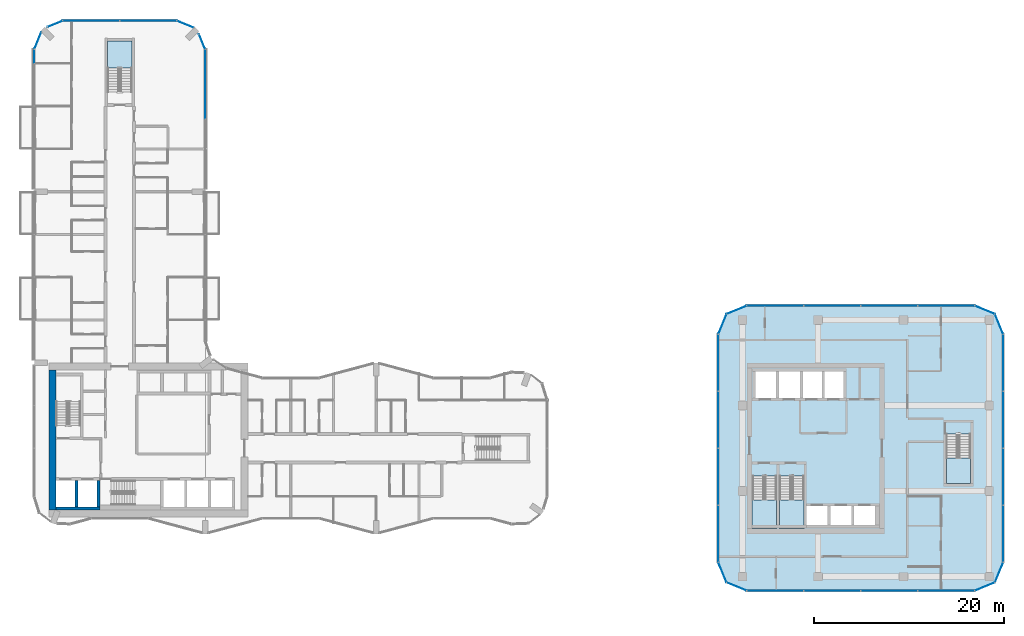
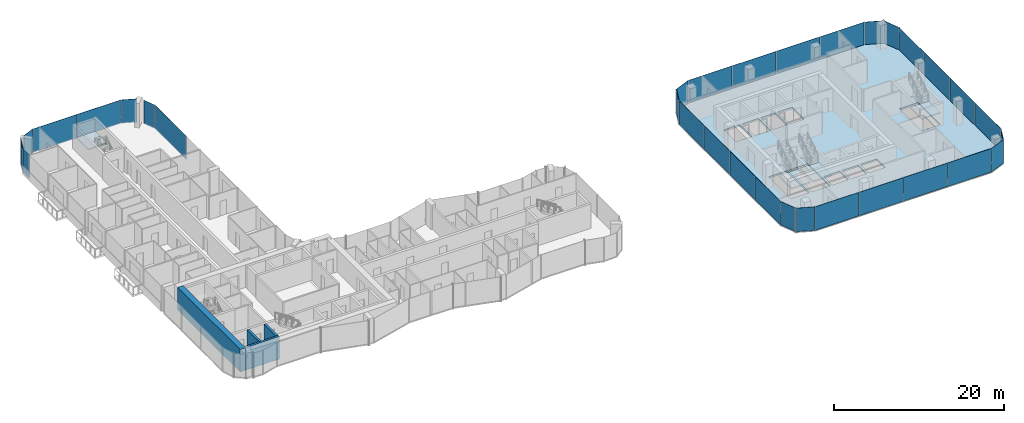
# One storey, part 12 of 23: 32 plates, 5 slabs, 4 walls, 23 elements without a shape of their own.
"""IFC4 building model written with IfcOpenShell, lengths in metres."""

from ifc_helpers import new_model, si_unit, direction, frame, frame_2d, origin, origin_2d, place, context, subcontext, project, spatial, polyline, rectangle, outline, extrude, material, layer, layer_set, type_object, element, aggregate, save


model = new_model("IFC4")

# Units and contexts
model_context = context("Model", 3, precision=1e-05, world=origin(), true_north=direction((0.0, 1.0)))
body_context = subcontext(model_context, "Body", "Model", "MODEL_VIEW")
ifc_project = project(units=[si_unit("LENGTHUNIT", "METRE"), si_unit("AREAUNIT", "SQUARE_METRE"), si_unit("VOLUMEUNIT", "CUBIC_METRE"), si_unit("PLANEANGLEUNIT", "RADIAN"), si_unit("MASSUNIT", "GRAM", prefix="KILO")], contexts=[model_context])

# Site, building, storey
site_placement = place(None, origin())
site = spatial("IfcSite", under=ifc_project, at=site_placement, CompositionType="ELEMENT")
building_placement = place(site_placement, origin())
building = spatial("IfcBuilding", under=site, at=building_placement, Name="Plateau Cross Towers", CompositionType="ELEMENT")
storey_placement = place(building_placement, frame((0.0, 0.0, 37.300048828125)))
storey = spatial("IfcBuildingStorey", under=building, at=storey_placement, Name="L08", CompositionType="ELEMENT", Elevation=37.300048828125)

# Curtain wall, plates
ifc_material_1 = material(Name="Dark low-iron glass", Category="glass")
ifc_layer_1 = layer(ifc_material_1, 0.239990234375)
ifc_layer_set_1 = layer_set([ifc_layer_1], Name="Dark low-iron glass")
curtain_wall_type_1 = type_object("IfcCurtainWallType", Name="Curtain wall office unitised CW-F", PredefinedType="NOTDEFINED", material=ifc_layer_set_1)
curtain_wall_1_placement = place(storey_placement, origin())
curtain_wall_1 = element("IfcCurtainWall", 1, at=curtain_wall_1_placement, inside=storey, type_object=curtain_wall_type_1, Name="ENV/B/L08/B750_-60", PredefinedType="NOTDEFINED")
ifc_layer_2 = layer(ifc_material_1, 0.028076171875)
ifc_layer_set_2 = layer_set([ifc_layer_2], Name="Dark low-iron glass")
plate_type_1 = type_object("IfcPlateType", Name="Glass panel 28 office unitised", PredefinedType="CURTAIN_PANEL", material=ifc_layer_set_2)
plate_1_placement = place(storey_placement, frame((78.0, -6.0, -0.1298828125), z_axis=(0.0, 0.0, 1.0), x_axis=(1.0, 0.0, 0.0)))
plate_1 = element("IfcPlate", 2, at=plate_1_placement, type_object=plate_type_1, Name="CW-F panel 1", PredefinedType="CURTAIN_PANEL", context=body_context, shape_type="SweptSolid", body=[
    extrude(rectangle(XDim=5.93994140625, YDim=0.028076171875, at=origin_2d()), origin(), (0.0, 0.0, 1.0), 3.3798828125),
])
plate_2_placement = place(storey_placement, frame((84.0, -6.0, -0.1298828125), z_axis=(0.0, 0.0, 1.0), x_axis=(1.0, 0.0, 0.0)))
plate_2 = element("IfcPlate", 3, at=plate_2_placement, type_object=plate_type_1, Name="CW-F panel 2", PredefinedType="CURTAIN_PANEL", context=body_context, shape_type="SweptSolid", body=[
    extrude(rectangle(XDim=5.93994140625, YDim=0.028076171875, at=origin_2d()), origin(), (0.0, 0.0, 1.0), 3.3798828125),
])
plate_3_placement = place(storey_placement, frame((90.0, -6.0, -0.1298828125), z_axis=(0.0, 0.0, 1.0), x_axis=(1.0, 0.0, 0.0)))
plate_3 = element("IfcPlate", 4, at=plate_3_placement, type_object=plate_type_1, Name="CW-F panel 3", PredefinedType="CURTAIN_PANEL", context=body_context, shape_type="SweptSolid", body=[
    extrude(rectangle(XDim=5.93994140625, YDim=0.028076171875, at=origin_2d()), origin(), (0.0, 0.0, 1.0), 3.3798828125),
])
plate_4_placement = place(storey_placement, frame((96.0, -6.0, -0.1298828125), z_axis=(0.0, 0.0, 1.0), x_axis=(1.0, 0.0, 0.0)))
plate_4 = element("IfcPlate", 5, at=plate_4_placement, type_object=plate_type_1, Name="CW-F panel 4", PredefinedType="CURTAIN_PANEL", context=body_context, shape_type="SweptSolid", body=[
    extrude(rectangle(XDim=5.93994140625, YDim=0.028076171875, at=origin_2d()), origin(), (0.0, 0.0, 1.0), 3.3798828125),
])
aggregate(curtain_wall_1, [plate_1, plate_2, plate_3, plate_4])

# Curtain wall, plate
curtain_wall_2_placement = place(storey_placement, origin())
curtain_wall_2 = element("IfcCurtainWall", 6, at=curtain_wall_2_placement, inside=storey, type_object=curtain_wall_type_1, Name="ENV/B/L08/B990_-60", PredefinedType="NOTDEFINED")
plate_5_placement = place(storey_placement, frame((100.060546875, -5.560546875, -0.1298828125), z_axis=(0.0, 0.0, 1.0), x_axis=(0.923879457699, 0.382683612978, 0.0)))
plate_5 = element("IfcPlate", 7, at=plate_5_placement, type_object=plate_type_1, Name="CW-F panel 1", PredefinedType="CURTAIN_PANEL", context=body_context, shape_type="SweptSolid", body=[
    extrude(rectangle(XDim=2.236083984375, YDim=0.028076171875, at=origin_2d()), origin(), (0.0, 0.0, 1.0), 3.3798828125),
])
aggregate(curtain_wall_2, [plate_5])

curtain_wall_3_placement = place(storey_placement, origin())
curtain_wall_3 = element("IfcCurtainWall", 8, at=curtain_wall_3_placement, inside=storey, type_object=curtain_wall_type_1, Name="ENV/B/L08/B1011_-51", PredefinedType="NOTDEFINED")
plate_6_placement = place(storey_placement, frame((101.560546875, -4.060546875, -0.1298828125), z_axis=(0.0, 0.0, 1.0), x_axis=(0.382683612978, 0.923879457699, 0.0)))
plate_6 = element("IfcPlate", 9, at=plate_6_placement, type_object=plate_type_1, Name="CW-F panel 1", PredefinedType="CURTAIN_PANEL", context=body_context, shape_type="SweptSolid", body=[
    extrude(rectangle(XDim=2.236083984375, YDim=0.028076171875, at=origin_2d()), origin(), (0.0, 0.0, 1.0), 3.3798828125),
])
aggregate(curtain_wall_3, [plate_6])

# Curtain wall, plates
curtain_wall_4_placement = place(storey_placement, origin())
curtain_wall_4 = element("IfcCurtainWall", 10, at=curtain_wall_4_placement, inside=storey, type_object=curtain_wall_type_1, Name="ENV/B/L08/B1020_-30", PredefinedType="NOTDEFINED")
plate_7_placement = place(storey_placement, frame((102.0, 0.0, -0.1298828125), z_axis=(0.0, 0.0, 1.0), x_axis=(0.0, 1.0, 0.0)))
plate_7 = element("IfcPlate", 11, at=plate_7_placement, type_object=plate_type_1, Name="CW-F panel 1", PredefinedType="CURTAIN_PANEL", context=body_context, shape_type="SweptSolid", body=[
    extrude(rectangle(XDim=5.93994140625, YDim=0.028076171875, at=origin_2d()), origin(), (0.0, 0.0, 1.0), 3.3798828125),
])
plate_8_placement = place(storey_placement, frame((102.0, 6.0, -0.1298828125), z_axis=(0.0, 0.0, 1.0), x_axis=(0.0, 1.0, 0.0)))
plate_8 = element("IfcPlate", 12, at=plate_8_placement, type_object=plate_type_1, Name="CW-F panel 2", PredefinedType="CURTAIN_PANEL", context=body_context, shape_type="SweptSolid", body=[
    extrude(rectangle(XDim=5.93994140625, YDim=0.028076171875, at=origin_2d()), origin(), (0.0, 0.0, 1.0), 3.3798828125),
])
plate_9_placement = place(storey_placement, frame((102.0, 12.0, -0.1298828125), z_axis=(0.0, 0.0, 1.0), x_axis=(0.0, 1.0, 0.0)))
plate_9 = element("IfcPlate", 13, at=plate_9_placement, type_object=plate_type_1, Name="CW-F panel 3", PredefinedType="CURTAIN_PANEL", context=body_context, shape_type="SweptSolid", body=[
    extrude(rectangle(XDim=5.93994140625, YDim=0.028076171875, at=origin_2d()), origin(), (0.0, 0.0, 1.0), 3.3798828125),
])
plate_10_placement = place(storey_placement, frame((102.0, 18.0, -0.1298828125), z_axis=(0.0, 0.0, 1.0), x_axis=(0.0, 1.0, 0.0)))
plate_10 = element("IfcPlate", 14, at=plate_10_placement, type_object=plate_type_1, Name="CW-F panel 4", PredefinedType="CURTAIN_PANEL", context=body_context, shape_type="SweptSolid", body=[
    extrude(rectangle(XDim=5.93994140625, YDim=0.028076171875, at=origin_2d()), origin(), (0.0, 0.0, 1.0), 3.3798828125),
])
aggregate(curtain_wall_4, [plate_7, plate_8, plate_9, plate_10])

# Curtain wall, plate
curtain_wall_5_placement = place(storey_placement, origin())
curtain_wall_5 = element("IfcCurtainWall", 15, at=curtain_wall_5_placement, inside=storey, type_object=curtain_wall_type_1, Name="ENV/B/L08/B1020_210", PredefinedType="NOTDEFINED")
plate_11_placement = place(storey_placement, frame((101.560546875, 22.060546875, -0.1298828125), z_axis=(0.0, 0.0, 1.0), x_axis=(-0.382683612978, 0.923879457699, 0.0)))
plate_11 = element("IfcPlate", 16, at=plate_11_placement, type_object=plate_type_1, Name="CW-F panel 1", PredefinedType="CURTAIN_PANEL", context=body_context, shape_type="SweptSolid", body=[
    extrude(rectangle(XDim=2.236083984375, YDim=0.028076171875, at=origin_2d()), origin(), (0.0, 0.0, 1.0), 3.3798828125),
])
aggregate(curtain_wall_5, [plate_11])

curtain_wall_6_placement = place(storey_placement, origin())
curtain_wall_6 = element("IfcCurtainWall", 17, at=curtain_wall_6_placement, inside=storey, type_object=curtain_wall_type_1, Name="ENV/B/L08/B1011_231", PredefinedType="NOTDEFINED")
plate_12_placement = place(storey_placement, frame((100.060546875, 23.560546875, -0.1298828125), z_axis=(0.0, 0.0, 1.0), x_axis=(-0.923879457699, 0.382683612978, 0.0)))
plate_12 = element("IfcPlate", 18, at=plate_12_placement, type_object=plate_type_1, Name="CW-F panel 1", PredefinedType="CURTAIN_PANEL", context=body_context, shape_type="SweptSolid", body=[
    extrude(rectangle(XDim=2.236083984375, YDim=0.028076171875, at=origin_2d()), origin(), (0.0, 0.0, 1.0), 3.3798828125),
])
aggregate(curtain_wall_6, [plate_12])

# Curtain wall, plates
curtain_wall_7_placement = place(storey_placement, origin())
curtain_wall_7 = element("IfcCurtainWall", 19, at=curtain_wall_7_placement, inside=storey, type_object=curtain_wall_type_1, Name="ENV/B/L08/B990_240", PredefinedType="NOTDEFINED")
plate_13_placement = place(storey_placement, frame((96.0, 24.0, -0.1298828125), z_axis=(0.0, 0.0, 1.0), x_axis=(-1.0, 0.0, 0.0)))
plate_13 = element("IfcPlate", 20, at=plate_13_placement, type_object=plate_type_1, Name="CW-F panel 1", PredefinedType="CURTAIN_PANEL", context=body_context, shape_type="SweptSolid", body=[
    extrude(rectangle(XDim=5.93994140625, YDim=0.028076171875, at=origin_2d()), origin(), (0.0, 0.0, 1.0), 3.3798828125),
])
plate_14_placement = place(storey_placement, frame((90.0, 24.0, -0.1298828125), z_axis=(0.0, 0.0, 1.0), x_axis=(-1.0, 0.0, 0.0)))
plate_14 = element("IfcPlate", 21, at=plate_14_placement, type_object=plate_type_1, Name="CW-F panel 2", PredefinedType="CURTAIN_PANEL", context=body_context, shape_type="SweptSolid", body=[
    extrude(rectangle(XDim=5.93994140625, YDim=0.028076171875, at=origin_2d()), origin(), (0.0, 0.0, 1.0), 3.3798828125),
])
plate_15_placement = place(storey_placement, frame((84.0, 24.0, -0.1298828125), z_axis=(0.0, 0.0, 1.0), x_axis=(-1.0, 0.0, 0.0)))
plate_15 = element("IfcPlate", 22, at=plate_15_placement, type_object=plate_type_1, Name="CW-F panel 3", PredefinedType="CURTAIN_PANEL", context=body_context, shape_type="SweptSolid", body=[
    extrude(rectangle(XDim=5.93994140625, YDim=0.028076171875, at=origin_2d()), origin(), (0.0, 0.0, 1.0), 3.3798828125),
])
plate_16_placement = place(storey_placement, frame((78.0, 24.0, -0.1298828125), z_axis=(0.0, 0.0, 1.0), x_axis=(-1.0, 0.0, 0.0)))
plate_16 = element("IfcPlate", 23, at=plate_16_placement, type_object=plate_type_1, Name="CW-F panel 4", PredefinedType="CURTAIN_PANEL", context=body_context, shape_type="SweptSolid", body=[
    extrude(rectangle(XDim=5.93994140625, YDim=0.028076171875, at=origin_2d()), origin(), (0.0, 0.0, 1.0), 3.3798828125),
])
aggregate(curtain_wall_7, [plate_13, plate_14, plate_15, plate_16])

# Curtain wall, plate
curtain_wall_8_placement = place(storey_placement, origin())
curtain_wall_8 = element("IfcCurtainWall", 24, at=curtain_wall_8_placement, inside=storey, type_object=curtain_wall_type_1, Name="ENV/B/L08/B750_240", PredefinedType="NOTDEFINED")
plate_17_placement = place(storey_placement, frame((73.939453125, 23.560546875, -0.1298828125), z_axis=(0.0, 0.0, 1.0), x_axis=(-0.923879457699, -0.382683612978, 0.0)))
plate_17 = element("IfcPlate", 25, at=plate_17_placement, type_object=plate_type_1, Name="CW-F panel 1", PredefinedType="CURTAIN_PANEL", context=body_context, shape_type="SweptSolid", body=[
    extrude(rectangle(XDim=2.236083984375, YDim=0.028076171875, at=origin_2d()), origin(), (0.0, 0.0, 1.0), 3.3798828125),
])
aggregate(curtain_wall_8, [plate_17])

curtain_wall_9_placement = place(storey_placement, origin())
curtain_wall_9 = element("IfcCurtainWall", 26, at=curtain_wall_9_placement, inside=storey, type_object=curtain_wall_type_1, Name="ENV/B/L08/B729_231", PredefinedType="NOTDEFINED")
plate_18_placement = place(storey_placement, frame((72.439453125, 22.060546875, -0.1298828125), z_axis=(0.0, 0.0, 1.0), x_axis=(-0.382683612978, -0.923879457699, 0.0)))
plate_18 = element("IfcPlate", 27, at=plate_18_placement, type_object=plate_type_1, Name="CW-F panel 1", PredefinedType="CURTAIN_PANEL", context=body_context, shape_type="SweptSolid", body=[
    extrude(rectangle(XDim=2.236083984375, YDim=0.028076171875, at=origin_2d()), origin(), (0.0, 0.0, 1.0), 3.3798828125),
])
aggregate(curtain_wall_9, [plate_18])

# Curtain wall, plates
curtain_wall_10_placement = place(storey_placement, origin())
curtain_wall_10 = element("IfcCurtainWall", 28, at=curtain_wall_10_placement, inside=storey, type_object=curtain_wall_type_1, Name="ENV/B/L08/B720_210", PredefinedType="NOTDEFINED")
plate_19_placement = place(storey_placement, frame((72.0, 18.0, -0.1298828125), z_axis=(0.0, 0.0, 1.0), x_axis=(0.0, -1.0, 0.0)))
plate_19 = element("IfcPlate", 29, at=plate_19_placement, type_object=plate_type_1, Name="CW-F panel 1", PredefinedType="CURTAIN_PANEL", context=body_context, shape_type="SweptSolid", body=[
    extrude(rectangle(XDim=5.93994140625, YDim=0.028076171875, at=origin_2d()), origin(), (0.0, 0.0, 1.0), 3.3798828125),
])
plate_20_placement = place(storey_placement, frame((72.0, 12.0, -0.1298828125), z_axis=(0.0, 0.0, 1.0), x_axis=(0.0, -1.0, 0.0)))
plate_20 = element("IfcPlate", 30, at=plate_20_placement, type_object=plate_type_1, Name="CW-F panel 2", PredefinedType="CURTAIN_PANEL", context=body_context, shape_type="SweptSolid", body=[
    extrude(rectangle(XDim=5.93994140625, YDim=0.028076171875, at=origin_2d()), origin(), (0.0, 0.0, 1.0), 3.3798828125),
])
plate_21_placement = place(storey_placement, frame((72.0, 6.0, -0.1298828125), z_axis=(0.0, 0.0, 1.0), x_axis=(0.0, -1.0, 0.0)))
plate_21 = element("IfcPlate", 31, at=plate_21_placement, type_object=plate_type_1, Name="CW-F panel 3", PredefinedType="CURTAIN_PANEL", context=body_context, shape_type="SweptSolid", body=[
    extrude(rectangle(XDim=5.93994140625, YDim=0.028076171875, at=origin_2d()), origin(), (0.0, 0.0, 1.0), 3.3798828125),
])
plate_22_placement = place(storey_placement, frame((72.0, 0.0, -0.1298828125), z_axis=(0.0, 0.0, 1.0), x_axis=(0.0, -1.0, 0.0)))
plate_22 = element("IfcPlate", 32, at=plate_22_placement, type_object=plate_type_1, Name="CW-F panel 4", PredefinedType="CURTAIN_PANEL", context=body_context, shape_type="SweptSolid", body=[
    extrude(rectangle(XDim=5.93994140625, YDim=0.028076171875, at=origin_2d()), origin(), (0.0, 0.0, 1.0), 3.3798828125),
])
aggregate(curtain_wall_10, [plate_19, plate_20, plate_21, plate_22])

# Curtain wall, plate
curtain_wall_11_placement = place(storey_placement, origin())
curtain_wall_11 = element("IfcCurtainWall", 33, at=curtain_wall_11_placement, inside=storey, type_object=curtain_wall_type_1, Name="ENV/B/L08/B720_-30", PredefinedType="NOTDEFINED")
plate_23_placement = place(storey_placement, frame((72.439453125, -4.060546875, -0.1298828125), z_axis=(0.0, 0.0, 1.0), x_axis=(0.382683612978, -0.923879457699, 0.0)))
plate_23 = element("IfcPlate", 34, at=plate_23_placement, type_object=plate_type_1, Name="CW-F panel 1", PredefinedType="CURTAIN_PANEL", context=body_context, shape_type="SweptSolid", body=[
    extrude(rectangle(XDim=2.236083984375, YDim=0.028076171875, at=origin_2d()), origin(), (0.0, 0.0, 1.0), 3.3798828125),
])
aggregate(curtain_wall_11, [plate_23])

curtain_wall_12_placement = place(storey_placement, origin())
curtain_wall_12 = element("IfcCurtainWall", 35, at=curtain_wall_12_placement, inside=storey, type_object=curtain_wall_type_1, Name="ENV/B/L08/B729_-51", PredefinedType="NOTDEFINED")
plate_24_placement = place(storey_placement, frame((73.939453125, -5.560546875, -0.1298828125), z_axis=(0.0, 0.0, 1.0), x_axis=(0.923879457699, -0.382683612978, 0.0)))
plate_24 = element("IfcPlate", 36, at=plate_24_placement, type_object=plate_type_1, Name="CW-F panel 1", PredefinedType="CURTAIN_PANEL", context=body_context, shape_type="SweptSolid", body=[
    extrude(rectangle(XDim=2.236083984375, YDim=0.028076171875, at=origin_2d()), origin(), (0.0, 0.0, 1.0), 3.3798828125),
])
aggregate(curtain_wall_12, [plate_24])

ifc_layer_3 = layer(ifc_material_1, 0.239990234375)
ifc_layer_set_3 = layer_set([ifc_layer_3], Name="Dark low-iron glass")
curtain_wall_type_2 = type_object("IfcCurtainWallType", Name="Curtain wall flush unitised CW-B", PredefinedType="NOTDEFINED", material=ifc_layer_set_3)
curtain_wall_13_placement = place(storey_placement, origin())
curtain_wall_13 = element("IfcCurtainWall", 37, at=curtain_wall_13_placement, inside=storey, type_object=curtain_wall_type_2, Name="ENV/A/L08/A180_363", PredefinedType="NOTDEFINED")
ifc_layer_4 = layer(ifc_material_1, 0.031982421875)
ifc_layer_set_4 = layer_set([ifc_layer_4], Name="Dark low-iron glass")
plate_type_2 = type_object("IfcPlateType", Name="Glass panel 32 flush unitised", PredefinedType="CURTAIN_PANEL", material=ifc_layer_set_4)
plate_25_placement = place(storey_placement, frame((18.0, 47.324951171875, -0.1298828125), z_axis=(0.0, 0.0, 1.0), x_axis=(0.0, 1.0, 0.0)))
plate_25 = element("IfcPlate", 38, at=plate_25_placement, type_object=plate_type_2, Name="CW-B panel 2", PredefinedType="CURTAIN_PANEL", context=body_context, shape_type="SweptSolid", body=[
    extrude(rectangle(XDim=7.2900390625, YDim=0.031982421875, at=origin_2d()), origin(), (0.0, 0.0, 1.0), 3.3798828125),
])
aggregate(curtain_wall_13, [plate_25])

curtain_wall_14_placement = place(storey_placement, origin())
curtain_wall_14 = element("IfcCurtainWall", 39, at=curtain_wall_14_placement, inside=storey, type_object=curtain_wall_type_2, Name="ENV/A/L08/A180_510", PredefinedType="NOTDEFINED")
plate_26_placement = place(storey_placement, frame((17.66943359375, 51.79833984375, -0.1298828125), z_axis=(0.0, 0.0, 1.0), x_axis=(-0.382683612978, 0.923879457699, 0.0)))
plate_26 = element("IfcPlate", 40, at=plate_26_placement, type_object=plate_type_2, Name="CW-B panel 1", PredefinedType="CURTAIN_PANEL", context=body_context, shape_type="SweptSolid", body=[
    extrude(rectangle(XDim=1.668212890625, YDim=0.031982421875, at=origin_2d()), origin(), (0.0, 0.0, 1.0), 3.3798828125),
])
aggregate(curtain_wall_14, [plate_26])

curtain_wall_15_placement = place(storey_placement, origin())
curtain_wall_15 = element("IfcCurtainWall", 41, at=curtain_wall_15_placement, inside=storey, type_object=curtain_wall_type_2, Name="ENV/A/L08/A168_533", PredefinedType="NOTDEFINED")
plate_27_placement = place(storey_placement, frame((15.90283203125, 53.6259765625, -0.1298828125), z_axis=(0.0, 0.0, 1.0), x_axis=(-0.923879457699, 0.382683612978, 0.0)))
plate_27 = element("IfcPlate", 42, at=plate_27_placement, type_object=plate_type_2, Name="CW-B panel 1", PredefinedType="CURTAIN_PANEL", context=body_context, shape_type="SweptSolid", body=[
    extrude(rectangle(XDim=1.894775390625, YDim=0.031982421875, at=origin_2d()), origin(), (0.0, 0.0, 1.0), 3.3798828125),
])
aggregate(curtain_wall_15, [plate_27])

# Curtain wall, plates
curtain_wall_16_placement = place(storey_placement, origin())
curtain_wall_16 = element("IfcCurtainWall", 43, at=curtain_wall_16_placement, inside=storey, type_object=curtain_wall_type_2, Name="ENV/A/L08/A150_540", PredefinedType="NOTDEFINED")
plate_28_placement = place(storey_placement, frame((12.0, 54.0, -0.1298828125), z_axis=(0.0, 0.0, 1.0), x_axis=(-1.0, 0.0, 0.0)))
plate_28 = element("IfcPlate", 44, at=plate_28_placement, type_object=plate_type_2, Name="CW-B panel 1", PredefinedType="CURTAIN_PANEL", context=body_context, shape_type="SweptSolid", body=[
    extrude(rectangle(XDim=5.93994140625, YDim=0.031982421875, at=origin_2d()), origin(), (0.0, 0.0, 1.0), 3.3798828125),
])
plate_29_placement = place(storey_placement, frame((6.0, 54.0, -0.1298828125), z_axis=(0.0, 0.0, 1.0), x_axis=(-1.0, 0.0, 0.0)))
plate_29 = element("IfcPlate", 45, at=plate_29_placement, type_object=plate_type_2, Name="CW-B panel 2", PredefinedType="CURTAIN_PANEL", context=body_context, shape_type="SweptSolid", body=[
    extrude(rectangle(XDim=5.93994140625, YDim=0.031982421875, at=origin_2d()), origin(), (0.0, 0.0, 1.0), 3.3798828125),
])
aggregate(curtain_wall_16, [plate_28, plate_29])

# Curtain wall, plate
curtain_wall_17_placement = place(storey_placement, origin())
curtain_wall_17 = element("IfcCurtainWall", 46, at=curtain_wall_17_placement, inside=storey, type_object=curtain_wall_type_2, Name="ENV/A/L08/A30_540", PredefinedType="NOTDEFINED")
plate_30_placement = place(storey_placement, frame((2.20166015625, 53.66943359375, -0.1298828125), z_axis=(0.0, 0.0, 1.0), x_axis=(-0.923879457699, -0.382683612978, 0.0)))
plate_30 = element("IfcPlate", 47, at=plate_30_placement, type_object=plate_type_2, Name="CW-B panel 1", PredefinedType="CURTAIN_PANEL", context=body_context, shape_type="SweptSolid", body=[
    extrude(rectangle(XDim=1.668212890625, YDim=0.031982421875, at=origin_2d()), origin(), (0.0, 0.0, 1.0), 3.3798828125),
])
aggregate(curtain_wall_17, [plate_30])

curtain_wall_18_placement = place(storey_placement, origin())
curtain_wall_18 = element("IfcCurtainWall", 48, at=curtain_wall_18_placement, inside=storey, type_object=curtain_wall_type_2, Name="ENV/A/L08/A7_528", PredefinedType="NOTDEFINED")
plate_31_placement = place(storey_placement, frame((0.3740234375, 51.90283203125, -0.1298828125), z_axis=(0.0, 0.0, 1.0), x_axis=(-0.382683612978, -0.923879457699, 0.0)))
plate_31 = element("IfcPlate", 49, at=plate_31_placement, type_object=plate_type_2, Name="CW-B panel 1", PredefinedType="CURTAIN_PANEL", context=body_context, shape_type="SweptSolid", body=[
    extrude(rectangle(XDim=1.894775390625, YDim=0.031982421875, at=origin_2d()), origin(), (0.0, 0.0, 1.0), 3.3798828125),
])
aggregate(curtain_wall_18, [plate_31])

curtain_wall_19_placement = place(storey_placement, origin())
curtain_wall_19 = element("IfcCurtainWall", 50, at=curtain_wall_19_placement, inside=storey, type_object=curtain_wall_type_2, Name="ENV/A/L08/A0_510", PredefinedType="NOTDEFINED")
plate_32_placement = place(storey_placement, frame((0.0, 50.25, -0.1298828125), z_axis=(0.0, 0.0, 1.0), x_axis=(0.0, -1.0, 0.0)))
plate_32 = element("IfcPlate", 51, at=plate_32_placement, type_object=plate_type_2, Name="CW-B panel 1", PredefinedType="CURTAIN_PANEL", context=body_context, shape_type="SweptSolid", body=[
    extrude(rectangle(XDim=1.43994140625, YDim=0.031982421875, at=origin_2d()), origin(), (0.0, 0.0, 1.0), 3.3798828125),
])
aggregate(curtain_wall_19, [plate_32])

# Slab
ifc_material_2 = material(Name="Concrete C40/50", Category="concrete")
ifc_layer_5 = layer(ifc_material_2, 0.25)
ifc_layer_set_5 = layer_set([ifc_layer_5], Name="Concrete C40/50")
slab_type_1 = type_object("IfcSlabType", Name="Post-tensioned flat plate slab 250", PredefinedType="FLOOR", material=ifc_layer_set_5)
slab_1_placement = place(storey_placement, frame((0.0, 0.0, -0.25)))
element("IfcSlab", 52, at=slab_1_placement, inside=storey, type_object=slab_type_1, Name="SL-B-L08", PredefinedType="FLOOR", context=body_context, shape_type="SweptSolid", body=[
    extrude(outline(polyline([(72.878662109375, -5.121337890625), (72.0, -3.0), (72.0, 21.0), (72.878662109375, 23.121337890625), (75.0, 24.0), (99.0, 24.0), (101.121337890625, 23.121337890625), (102.0, 21.0), (102.0, -3.0), (101.121337890625, -5.121337890625), (99.0, -6.0), (75.0, -6.0), (72.878662109375, -5.121337890625)]), holes=[polyline([(75.60009765625, 0.89990234375), (78.14990234375, 0.89990234375), (78.14990234375, 6.10009765625), (75.60009765625, 6.10009765625), (75.60009765625, 0.89990234375)]), polyline([(78.10009765625, 14.300048828125), (78.10009765625, 17.10009765625), (75.89990234375, 17.10009765625), (75.89990234375, 14.300048828125), (78.10009765625, 14.300048828125)]), polyline([(83.5, 0.89990234375), (83.5, 2.89990234375), (81.300048828125, 2.89990234375), (81.300048828125, 0.89990234375), (83.5, 0.89990234375)]), polyline([(86.0, 0.89990234375), (86.0, 2.89990234375), (83.800048828125, 2.89990234375), (83.800048828125, 0.89990234375), (86.0, 0.89990234375)]), polyline([(88.5, 0.89990234375), (88.5, 2.89990234375), (86.300048828125, 2.89990234375), (86.300048828125, 0.89990234375), (88.5, 0.89990234375)]), polyline([(78.449951171875, 0.89990234375), (81.0, 0.89990234375), (81.0, 6.10009765625), (78.449951171875, 6.10009765625), (78.449951171875, 0.89990234375)]), polyline([(96.0, 5.300048828125), (98.550048828125, 5.300048828125), (98.550048828125, 10.5), (96.0, 10.5), (96.0, 5.300048828125)]), polyline([(80.60009765625, 14.300048828125), (80.60009765625, 17.10009765625), (78.39990234375, 17.10009765625), (78.39990234375, 14.300048828125), (80.60009765625, 14.300048828125)]), polyline([(80.89990234375, 14.300048828125), (82.89990234375, 14.300048828125), (82.89990234375, 17.10009765625), (80.89990234375, 17.10009765625), (80.89990234375, 14.300048828125)]), polyline([(83.199951171875, 14.300048828125), (85.199951171875, 14.300048828125), (85.199951171875, 17.10009765625), (83.199951171875, 17.10009765625), (83.199951171875, 14.300048828125)])]), origin(), (0.0, 0.0, 1.0), 0.25),
])

# Stair, slab
stair_type = type_object("IfcStairType", Name="ST-TWR", PredefinedType="HALF_TURN_STAIR", material=ifc_material_2)
stair_1_placement = place(storey_placement, origin())
stair_1 = element("IfcStair", 53, at=stair_1_placement, inside=storey, type_object=stair_type, Name="L08 Protected Exit Stair SB-1", PredefinedType="HALF_TURN_STAIR")
ifc_layer_6 = layer(ifc_material_2, 0.199951171875)
ifc_layer_set_6 = layer_set([ifc_layer_6], Name="Concrete C40/50")
slab_type_2 = type_object("IfcSlabType", Name="SL-LANDING", PredefinedType="LANDING", material=ifc_layer_set_6)
slab_2_placement = place(storey_placement, frame((0.0, 0.0, 1.550048828125)))
slab_2 = element("IfcSlab", 54, at=slab_2_placement, type_object=slab_type_2, Name="SB-1 landing 1", PredefinedType="LANDING", context=body_context, shape_type="SweptSolid", body=[
    extrude(outline(polyline([(75.550048828125, 3.580078125), (75.550048828125, 0.550048828125), (78.14990234375, 0.550048828125), (78.14990234375, 3.580078125), (75.550048828125, 3.580078125)])), origin(), (0.0, 0.0, 1.0), 0.199951171875),
])
aggregate(stair_1, [slab_2])

stair_2_placement = place(storey_placement, origin())
stair_2 = element("IfcStair", 55, at=stair_2_placement, inside=storey, type_object=stair_type, Name="L08 Protected Exit Stair SB-2", PredefinedType="HALF_TURN_STAIR")
slab_3_placement = place(storey_placement, frame((0.0, 0.0, 1.550048828125)))
slab_3 = element("IfcSlab", 56, at=slab_3_placement, type_object=slab_type_2, Name="SB-2 landing 1", PredefinedType="LANDING", context=body_context, shape_type="SweptSolid", body=[
    extrude(outline(polyline([(78.449951171875, 3.580078125), (78.449951171875, 0.550048828125), (81.0, 0.550048828125), (81.0, 3.580078125), (78.449951171875, 3.580078125)])), origin(), (0.0, 0.0, 1.0), 0.199951171875),
])
aggregate(stair_2, [slab_3])

stair_3_placement = place(storey_placement, origin())
stair_3 = element("IfcStair", 57, at=stair_3_placement, inside=storey, type_object=stair_type, Name="L08 Protected Exit Stair SB-3", PredefinedType="HALF_TURN_STAIR")
slab_4_placement = place(storey_placement, frame((0.0, 0.0, 1.550048828125)))
slab_4 = element("IfcSlab", 58, at=slab_4_placement, type_object=slab_type_2, Name="SB-3 landing 1", PredefinedType="LANDING", context=body_context, shape_type="SweptSolid", body=[
    extrude(outline(polyline([(96.0, 7.97998046875), (96.0, 5.300048828125), (98.550048828125, 5.300048828125), (98.550048828125, 7.97998046875), (96.0, 7.97998046875)])), origin(), (0.0, 0.0, 1.0), 0.199951171875),
])
aggregate(stair_3, [slab_4])

stair_4_placement = place(storey_placement, origin())
stair_4 = element("IfcStair", 59, at=stair_4_placement, inside=storey, type_object=stair_type, Name="L08 Protected Exit Stair N", PredefinedType="HALF_TURN_STAIR")
slab_5_placement = place(storey_placement, frame((0.0, 0.0, 1.550048828125)))
slab_5 = element("IfcSlab", 60, at=slab_5_placement, type_object=slab_type_2, Name="ES-N landing 1", PredefinedType="LANDING", context=body_context, shape_type="SweptSolid", body=[
    extrude(outline(polyline([(10.27490234375, 49.02001953125), (10.27490234375, 51.85009765625), (7.72509765625, 51.85009765625), (7.72509765625, 49.02001953125), (10.27490234375, 49.02001953125)])), origin(), (0.0, 0.0, 1.0), 0.199951171875),
])
aggregate(stair_4, [slab_5])

# Walls
ifc_material_3 = material(Name="Concrete C60/75", Category="concrete")
ifc_layer_7 = layer(ifc_material_3, 0.300048828125)
ifc_layer_set_7 = layer_set([ifc_layer_7], Name="Concrete C60/75")
wall_type_1 = type_object("IfcWallType", Name="Core shaft wall 300", PredefinedType="SHEAR", material=ifc_layer_set_7)
wall_1_placement = place(storey_placement, frame((2.300048828125, 2.64990234375, 0.0), z_axis=(0.0, 0.0, 1.0), x_axis=(1.0, 0.0, 0.0)))
element("IfcWall", 61, at=wall_1_placement, inside=storey, type_object=wall_type_1, Name="A-sb-back1@L08", PredefinedType="SHEAR", context=body_context, shape_type="SweptSolid", body=[
    extrude(rectangle(XDim=4.599853515625, YDim=0.300048828125, at=frame_2d((2.2998046875, 0.0))), origin(), (0.0, 0.0, 1.0), 3.25),
])
for number, where, z_axis, x_axis, name in (
    (62, (4.449951171875, 2.800048828125, 0.0), (0.0, 0.0, 1.0), (0.0, 1.0, 0.0), "A-sb-v1@L08"),
    (63, (6.75, 2.800048828125, 0.0), (0.0, 0.0, 1.0), (0.0, 1.0, 0.0), "A-sb-v2@L08"),
):
    element("IfcWall", number, at=place(storey_placement, frame(where, z_axis=z_axis, x_axis=x_axis)), inside=storey, type_object=wall_type_1, Name=name, PredefinedType="SHEAR", context=body_context, shape_type="SweptSolid", body=[
        extrude(rectangle(XDim=2.800048828125, YDim=0.300048828125, at=frame_2d((1.39990234375, 0.0))), origin(), (0.0, 0.0, 1.0), 3.25),
    ])
ifc_layer_8 = layer(ifc_material_3, 0.75)
ifc_layer_set_8 = layer_set([ifc_layer_8], Name="Concrete C60/75")
wall_type_2 = type_object("IfcWallType", Name="Core shell wall 750", PredefinedType="SHEAR", material=ifc_layer_set_8)
wall_2_placement = place(storey_placement, frame((1.925048828125, 2.5, 0.0), z_axis=(0.0, 0.0, 1.0), x_axis=(0.0, 1.0, 0.0)))
element("IfcWall", 64, at=wall_2_placement, inside=storey, type_object=wall_type_2, Name="A-core-W@L08", PredefinedType="SHEAR", context=body_context, shape_type="SweptSolid", body=[
    extrude(rectangle(XDim=14.75, YDim=0.75, at=frame_2d((7.375, 0.0))), origin(), (0.0, 0.0, 1.0), 3.25),
])

save(model, "model.ifc")
